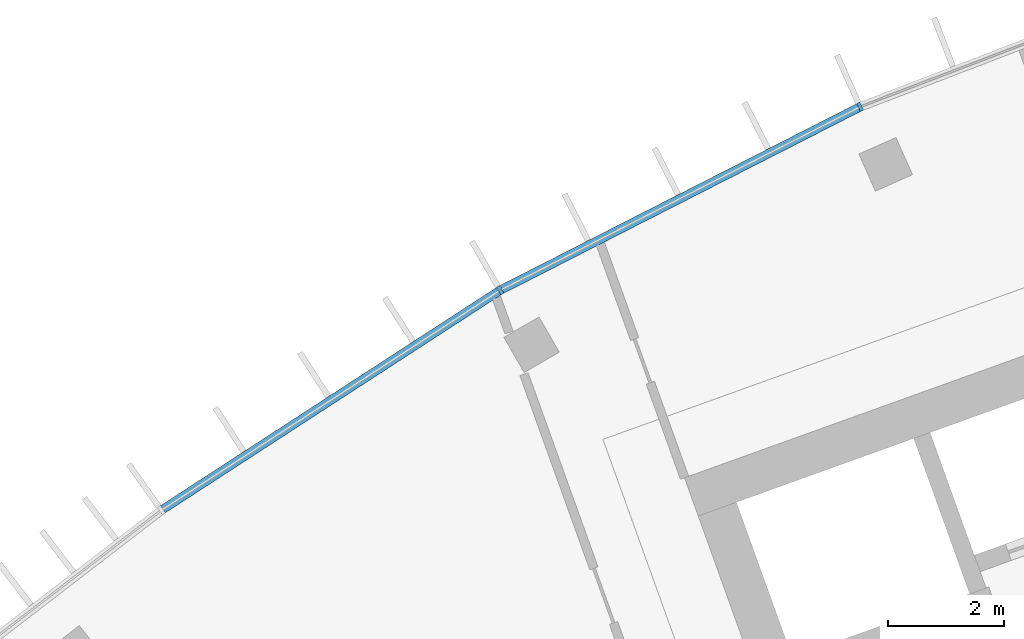
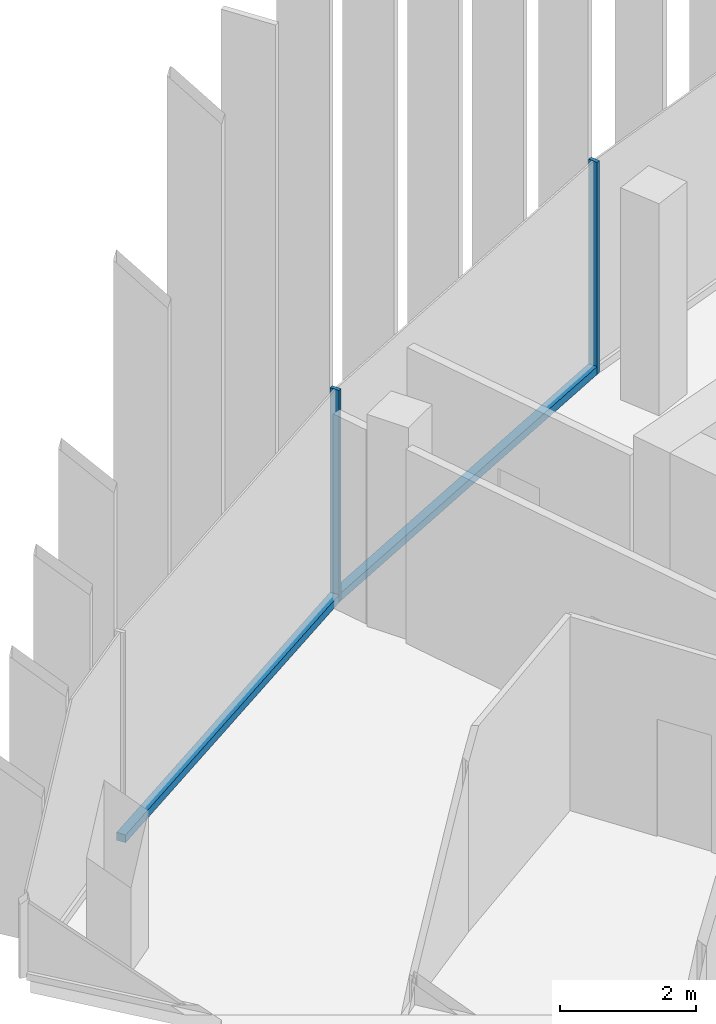
# One storey, part 4 of 19: 4 members, 1 element without a shape of its own.
"""IFC4 building model written with IfcOpenShell, lengths in metres."""

from ifc_helpers import new_model, si_unit, direction, frame, origin, origin_2d, place, context, subcontext, project, spatial, rectangle, extrude, material, layer, layer_set, material_profile, profile_set, type_object, element, aggregate, save


model = new_model("IFC4")

# Units and contexts
model_context = context("Model", 3, precision=1e-05, world=origin(), true_north=direction((0.0, 1.0)))
body_context = subcontext(model_context, "Body", "Model", "MODEL_VIEW")
ifc_project = project(units=[si_unit("LENGTHUNIT", "METRE"), si_unit("AREAUNIT", "SQUARE_METRE"), si_unit("VOLUMEUNIT", "CUBIC_METRE"), si_unit("PLANEANGLEUNIT", "RADIAN"), si_unit("MASSUNIT", "GRAM", prefix="KILO")], contexts=[model_context])

# Site, building, storey
site_placement = place(None, origin())
site = spatial("IfcSite", under=ifc_project, at=site_placement, CompositionType="ELEMENT")
building_placement = place(site_placement, origin())
building = spatial("IfcBuilding", under=site, at=building_placement, Name="Stone Belt Terrace Tower", CompositionType="ELEMENT")
storey_placement = place(building_placement, frame((0.0, 0.0, 280.800048828125)))
storey = spatial("IfcBuildingStorey", under=building, at=storey_placement, Name="L68", CompositionType="ELEMENT", Elevation=280.800048828125)

# Curtain wall, members
ifc_material = material(Name="Aluminium 6063-T6 anodised frame", Category="aluminium")
ifc_layer = layer(ifc_material, 0.14990234375)
ifc_layer_set = layer_set([ifc_layer], Name="CW-A unitised convex-face curtain wall")
curtain_wall_type = type_object("IfcCurtainWallType", Name="CW-A unitised convex-face curtain wall", PredefinedType="NOTDEFINED", material=ifc_layer_set)
curtain_wall_placement = place(storey_placement, origin())
curtain_wall = element("IfcCurtainWall", 1, at=curtain_wall_placement, inside=storey, type_object=curtain_wall_type, Name="CW-A convex face L68", PredefinedType="NOTDEFINED")
ifc_material_profile_1 = material_profile(ifc_material, rectangle(XDim=0.14990234375, YDim=0.06005859375, at=origin_2d()), Name="Aluminium 6063-T6 60x150")
ifc_profile_set_1 = profile_set([ifc_material_profile_1], Name="Aluminium 6063-T6 anodised frame")
member_type_1 = type_object("IfcMemberType", Name="CW-A mullion 60 x 150", PredefinedType="MULLION", material=ifc_profile_set_1)
member_1_placement = place(storey_placement, frame((-27.07861328125, 60.8193359375, 0.0), z_axis=(0.0, 0.0, 1.0), x_axis=(0.406736643076, -0.913545457643, 0.0)))
member_1 = element("IfcMember", 2, at=member_1_placement, type_object=member_type_1, Name="CW-A mullion 12", PredefinedType="MULLION", context=body_context, shape_type="SweptSolid", body=[
    extrude(rectangle(XDim=0.14990234375, YDim=0.06005859375, at=origin_2d()), origin(), (0.0, 0.0, 1.0), 3.800048828125),
])
member_2_placement = place(storey_placement, frame((-33.28759765625, 57.65576171875, 0.0), z_axis=(0.0, 0.0, 1.0), x_axis=(0.5, -0.866025403784, 0.0)))
member_2 = element("IfcMember", 3, at=member_2_placement, type_object=member_type_1, Name="CW-A mullion 13", PredefinedType="MULLION", context=body_context, shape_type="SweptSolid", body=[
    extrude(rectangle(XDim=0.14990234375, YDim=0.06005859375, at=origin_2d()), origin(), (0.0, 0.0, 1.0), 3.800048828125),
])
ifc_material_profile_2 = material_profile(ifc_material, rectangle(XDim=0.14990234375, YDim=0.139892578125, at=origin_2d()), Name="Aluminium 6063-T6 150x140")
ifc_profile_set_2 = profile_set([ifc_material_profile_2], Name="Aluminium 6063-T6 anodised frame")
member_type_2 = type_object("IfcMemberType", Name="CW-A transom 140 x 150", PredefinedType="USERDEFINED", material=ifc_profile_set_2)
member_3_placement = place(storey_placement, frame((-27.108642578125, 60.803955078125, 0.070068359375), z_axis=(-0.891012226264, -0.453979308613, 0.0), x_axis=(0.453979308613, -0.891012226264, 0.0)))
member_3 = element("IfcMember", 4, at=member_3_placement, type_object=member_type_2, Name="CW-A transom 12.1", ObjectType="TRANSOM", PredefinedType="USERDEFINED", context=body_context, shape_type="SweptSolid", body=[
    extrude(rectangle(XDim=0.14990234375, YDim=0.139892578125, at=origin_2d()), origin(), (0.0, 0.0, 1.0), 6.90087890625),
])
member_4_placement = place(storey_placement, frame((-33.31591796875, 57.63720703125, 0.070068359375), z_axis=(-0.83868440714, -0.544617723931, 0.0), x_axis=(0.544617723931, -0.83868440714, 0.0)))
member_4 = element("IfcMember", 5, at=member_4_placement, type_object=member_type_2, Name="CW-A transom 13.1", ObjectType="TRANSOM", PredefinedType="USERDEFINED", context=body_context, shape_type="SweptSolid", body=[
    extrude(rectangle(XDim=0.14990234375, YDim=0.139892578125, at=origin_2d()), origin(), (0.0, 0.0, 1.0), 6.90087890625),
])
aggregate(curtain_wall, [member_1, member_2, member_3, member_4])

save(model, "model.ifc")
